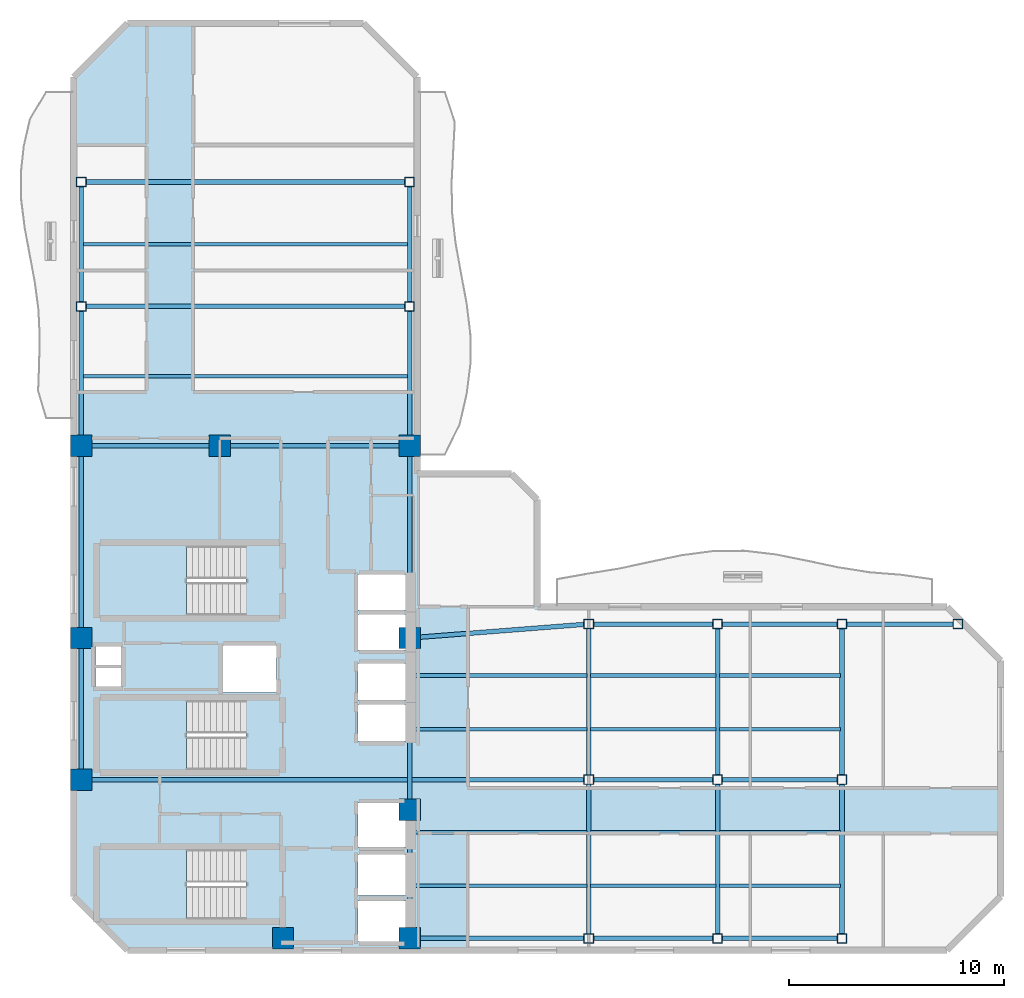
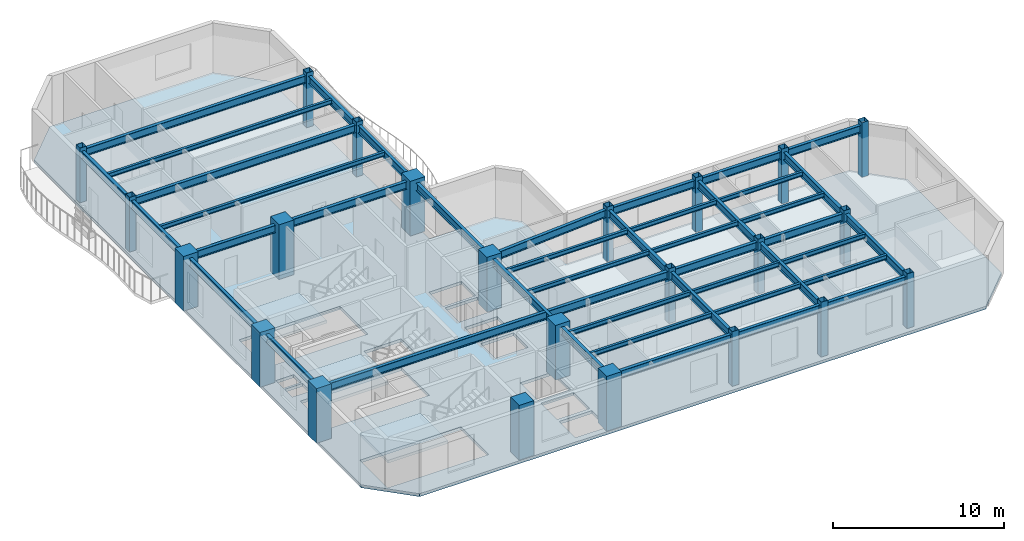
# One storey, part 1 of 9: 43 beams, 23 columns, 4 slabs, 3 elements without a shape of their own.
"""IFC4 building model written with IfcOpenShell, lengths in metres."""

from ifc_helpers import new_model, si_unit, direction, frame, origin, origin_2d, place, context, subcontext, project, spatial, polyline, rectangle, hollow_rectangle, i_section, outline, extrude, material, layer, layer_set, material_profile, profile_set, type_object, element, aggregate, save


model = new_model("IFC4")

# Units and contexts
model_context = context("Model", 3, precision=1e-05, world=origin(), true_north=direction((0.0, 1.0)))
body_context = subcontext(model_context, "Body", "Model", "MODEL_VIEW")
ifc_project = project(units=[si_unit("LENGTHUNIT", "METRE"), si_unit("AREAUNIT", "SQUARE_METRE"), si_unit("VOLUMEUNIT", "CUBIC_METRE"), si_unit("PLANEANGLEUNIT", "RADIAN"), si_unit("MASSUNIT", "GRAM", prefix="KILO")], contexts=[model_context])

# Site, building, storey
site_placement = place(None, origin())
site = spatial("IfcSite", under=ifc_project, at=site_placement, CompositionType="ELEMENT")
building_placement = place(site_placement, origin())
building = spatial("IfcBuilding", under=site, at=building_placement, Name="Mawjaban Terraces University", CompositionType="ELEMENT")
storey_placement = place(building_placement, frame((0.0, 0.0, 234.300048828125)))
storey = spatial("IfcBuildingStorey", under=building, at=storey_placement, Name="L57", CompositionType="ELEMENT", Elevation=234.300048828125)

# Columns
ifc_material_1 = material(Name="Concrete C60/75", Category="concrete")
ifc_material_profile_1 = material_profile(ifc_material_1, rectangle(XDim=1.0, YDim=1.0, at=origin_2d()), Name="RC1000X1000")
ifc_profile_set_1 = profile_set([ifc_material_profile_1], Name="Concrete C60/75")
column_type_1 = type_object("IfcColumnType", Name="Col_RC1000X1000", PredefinedType="COLUMN", material=ifc_profile_set_1)
for number, where, z_axis, x_axis, name in (
    (1, (31.75, 0.550048828125, 0.0), (0.0, 0.0, 1.0), (1.0, 0.0, 0.0), "L57 Column CC2"),
    (2, (37.64990234375, 0.550048828125, 0.0), (0.0, 0.0, 1.0), (1.0, 0.0, 0.0), "L57 Column CC3"),
    (3, (22.35009765625, 7.949951171875, 0.0), (0.0, 0.0, 1.0), (1.0, 0.0, 0.0), "L57 Column CC4"),
    (4, (37.64990234375, 6.550048828125, 0.0), (0.0, 0.0, 1.0), (1.0, 0.0, 0.0), "L57 Column CC5"),
    (5, (22.35009765625, 14.550048828125, 0.0), (0.0, 0.0, 1.0), (1.0, 0.0, 0.0), "L57 Column CC6"),
    (6, (37.64990234375, 14.550048828125, 0.0), (0.0, 0.0, 1.0), (1.0, 0.0, 0.0), "L57 Column CC7"),
    (7, (22.35009765625, 23.5, 0.0), (0.0, 0.0, 1.0), (1.0, 0.0, 0.0), "L57 Column CC8"),
    (8, (28.800048828125, 23.5, 0.0), (0.0, 0.0, 1.0), (1.0, 0.0, 0.0), "L57 Column CC9"),
    (9, (37.64990234375, 23.5, 0.0), (0.0, 0.0, 1.0), (1.0, 0.0, 0.0), "L57 Column CC10"),
):
    element("IfcColumn", number, at=place(storey_placement, frame(where, z_axis=z_axis, x_axis=x_axis)), inside=storey, type_object=column_type_1, Name=name, PredefinedType="COLUMN", context=body_context, shape_type="SweptSolid", body=[
        extrude(rectangle(XDim=1.0, YDim=1.0, at=origin_2d()), origin(), (0.0, 0.0, 1.0), 3.89990234375),
    ])
ifc_material_2 = material(Name="Steel EN 10210-1 S355J2H", Category="steel")
ifc_material_profile_2 = material_profile(ifc_material_2, hollow_rectangle(XDim=0.449951171875, YDim=0.449951171875, WallThickness=0.02001953125, at=origin_2d()), Name="SHS450X450X20")
ifc_profile_set_2 = profile_set([ifc_material_profile_2], Name="Steel EN 10210-1 S355J2H")
column_type_2 = type_object("IfcColumnType", Name="Col_SHS450X450X20", PredefinedType="COLUMN", material=ifc_profile_set_2)
for number, where, z_axis, x_axis, name in (
    (10, (46.0, 0.550048828125, 0.0), (0.0, 0.0, 1.0), (1.0, 0.0, 0.0), "L57 Column TE-460-005"),
    (11, (46.0, 7.949951171875, 0.0), (0.0, 0.0, 1.0), (1.0, 0.0, 0.0), "L57 Column TE-460-080"),
    (12, (46.0, 15.199951171875, 0.0), (0.0, 0.0, 1.0), (1.0, 0.0, 0.0), "L57 Column TE-460-152"),
    (13, (52.0, 0.550048828125, 0.0), (0.0, 0.0, 1.0), (1.0, 0.0, 0.0), "L57 Column TE-520-005"),
    (14, (52.0, 7.949951171875, 0.0), (0.0, 0.0, 1.0), (1.0, 0.0, 0.0), "L57 Column TE-520-080"),
    (15, (52.0, 15.199951171875, 0.0), (0.0, 0.0, 1.0), (1.0, 0.0, 0.0), "L57 Column TE-520-152"),
    (16, (57.800048828125, 0.550048828125, 0.0), (0.0, 0.0, 1.0), (1.0, 0.0, 0.0), "L57 Column TE-578-005"),
    (17, (57.800048828125, 7.949951171875, 0.0), (0.0, 0.0, 1.0), (1.0, 0.0, 0.0), "L57 Column TE-578-080"),
    (18, (57.800048828125, 15.199951171875, 0.0), (0.0, 0.0, 1.0), (1.0, 0.0, 0.0), "L57 Column TE-578-152"),
    (19, (63.199951171875, 15.199951171875, 0.0), (0.0, 0.0, 1.0), (1.0, 0.0, 0.0), "L57 Column TE-632-152"),
    (20, (22.35009765625, 30.0, 0.0), (0.0, 0.0, 1.0), (1.0, 0.0, 0.0), "L57 Column TN-223-300"),
    (21, (37.64990234375, 30.0, 0.0), (0.0, 0.0, 1.0), (1.0, 0.0, 0.0), "L57 Column TN-376-300"),
    (22, (22.35009765625, 35.800048828125, 0.0), (0.0, 0.0, 1.0), (1.0, 0.0, 0.0), "L57 Column TN-223-358"),
    (23, (37.64990234375, 35.800048828125, 0.0), (0.0, 0.0, 1.0), (1.0, 0.0, 0.0), "L57 Column TN-376-358"),
):
    element("IfcColumn", number, at=place(storey_placement, frame(where, z_axis=z_axis, x_axis=x_axis)), inside=storey, type_object=column_type_2, Name=name, PredefinedType="COLUMN", context=body_context, shape_type="SweptSolid", body=[
        extrude(hollow_rectangle(XDim=0.449951171875, YDim=0.449951171875, WallThickness=0.02001953125, at=origin_2d()), origin(), (0.0, 0.0, 1.0), 3.89990234375),
    ])

# Beams
ifc_material_3 = material(Name="Steel ASTM A572 Grade 50", Category="steel")
ifc_material_profile_3 = material_profile(ifc_material_3, i_section(OverallWidth=0.2119140625, OverallDepth=0.5439453125, WebThickness=0.01318359375, FlangeThickness=0.021240234375, at=origin_2d()), Name="W530X123")
ifc_profile_set_3 = profile_set([ifc_material_profile_3], Name="Steel ASTM A572 Grade 50")
beam_type_1 = type_object("IfcBeamType", Name="Beam_B_W530X123", PredefinedType="BEAM", material=ifc_profile_set_3)
beam_1_placement = place(storey_placement, frame((38.14990234375, 0.550048828125, 3.367919921875), z_axis=(1.0, 0.0, 0.0), x_axis=(0.0, 1.0, 0.0)))
element("IfcBeam", 24, at=beam_1_placement, inside=storey, type_object=beam_type_1, Name="L57 Beam BM-L57-EW-01", PredefinedType="BEAM", context=body_context, shape_type="SweptSolid", body=[
    extrude(i_section(OverallWidth=0.2119140625, OverallDepth=0.5439453125, WebThickness=0.01318359375, FlangeThickness=0.021240234375, at=origin_2d()), origin(), (0.0, 0.0, 1.0), 7.625),
])
beam_2_placement = place(storey_placement, frame((46.22509765625, 0.550048828125, 3.367919921875), z_axis=(1.0, 0.0, 0.0), x_axis=(0.0, 1.0, 0.0)))
element("IfcBeam", 25, at=beam_2_placement, inside=storey, type_object=beam_type_1, Name="L57 Beam BM-L57-EW-02", PredefinedType="BEAM", context=body_context, shape_type="SweptSolid", body=[
    extrude(i_section(OverallWidth=0.2119140625, OverallDepth=0.5439453125, WebThickness=0.01318359375, FlangeThickness=0.021240234375, at=origin_2d()), origin(), (0.0, 0.0, 1.0), 5.5498046875),
])
beam_3_placement = place(storey_placement, frame((52.22509765625, 0.550048828125, 3.367919921875), z_axis=(1.0, 0.0, 0.0), x_axis=(0.0, 1.0, 0.0)))
element("IfcBeam", 26, at=beam_3_placement, inside=storey, type_object=beam_type_1, Name="L57 Beam BM-L57-EW-03", PredefinedType="BEAM", context=body_context, shape_type="SweptSolid", body=[
    extrude(i_section(OverallWidth=0.2119140625, OverallDepth=0.5439453125, WebThickness=0.01318359375, FlangeThickness=0.021240234375, at=origin_2d()), origin(), (0.0, 0.0, 1.0), 5.349853515625),
])
beam_4_placement = place(storey_placement, frame((22.85009765625, 7.949951171875, 3.367919921875), z_axis=(1.0, 0.0, 0.0), x_axis=(0.0, 1.0, 0.0)))
element("IfcBeam", 27, at=beam_4_placement, inside=storey, type_object=beam_type_1, Name="L57 Beam BM-L57-EW-04", PredefinedType="BEAM", context=body_context, shape_type="SweptSolid", body=[
    extrude(i_section(OverallWidth=0.2119140625, OverallDepth=0.5439453125, WebThickness=0.01318359375, FlangeThickness=0.021240234375, at=origin_2d()), origin(), (0.0, 0.0, 1.0), 22.9248046875),
])
beam_5_placement = place(storey_placement, frame((46.22509765625, 7.949951171875, 3.367919921875), z_axis=(1.0, 0.0, 0.0), x_axis=(0.0, 1.0, 0.0)))
element("IfcBeam", 28, at=beam_5_placement, inside=storey, type_object=beam_type_1, Name="L57 Beam BM-L57-EW-05", PredefinedType="BEAM", context=body_context, shape_type="SweptSolid", body=[
    extrude(i_section(OverallWidth=0.2119140625, OverallDepth=0.5439453125, WebThickness=0.01318359375, FlangeThickness=0.021240234375, at=origin_2d()), origin(), (0.0, 0.0, 1.0), 5.5498046875),
])
beam_6_placement = place(storey_placement, frame((52.22509765625, 7.949951171875, 3.367919921875), z_axis=(1.0, 0.0, 0.0), x_axis=(0.0, 1.0, 0.0)))
element("IfcBeam", 29, at=beam_6_placement, inside=storey, type_object=beam_type_1, Name="L57 Beam BM-L57-EW-06", PredefinedType="BEAM", context=body_context, shape_type="SweptSolid", body=[
    extrude(i_section(OverallWidth=0.2119140625, OverallDepth=0.5439453125, WebThickness=0.01318359375, FlangeThickness=0.021240234375, at=origin_2d()), origin(), (0.0, 0.0, 1.0), 5.349853515625),
])
beam_7_placement = place(storey_placement, frame((46.22509765625, 15.199951171875, 3.367919921875), z_axis=(1.0, 0.0, 0.0), x_axis=(0.0, 1.0, 0.0)))
element("IfcBeam", 30, at=beam_7_placement, inside=storey, type_object=beam_type_1, Name="L57 Beam BM-L57-EW-07", PredefinedType="BEAM", context=body_context, shape_type="SweptSolid", body=[
    extrude(i_section(OverallWidth=0.2119140625, OverallDepth=0.5439453125, WebThickness=0.01318359375, FlangeThickness=0.021240234375, at=origin_2d()), origin(), (0.0, 0.0, 1.0), 5.5498046875),
])
beam_8_placement = place(storey_placement, frame((52.22509765625, 15.199951171875, 3.367919921875), z_axis=(1.0, 0.0, 0.0), x_axis=(0.0, 1.0, 0.0)))
element("IfcBeam", 31, at=beam_8_placement, inside=storey, type_object=beam_type_1, Name="L57 Beam BM-L57-EW-08", PredefinedType="BEAM", context=body_context, shape_type="SweptSolid", body=[
    extrude(i_section(OverallWidth=0.2119140625, OverallDepth=0.5439453125, WebThickness=0.01318359375, FlangeThickness=0.021240234375, at=origin_2d()), origin(), (0.0, 0.0, 1.0), 5.349853515625),
])
beam_9_placement = place(storey_placement, frame((58.02490234375, 15.199951171875, 3.367919921875), z_axis=(1.0, 0.0, 0.0), x_axis=(0.0, 1.0, 0.0)))
element("IfcBeam", 32, at=beam_9_placement, inside=storey, type_object=beam_type_1, Name="L57 Beam BM-L57-EW-09", PredefinedType="BEAM", context=body_context, shape_type="SweptSolid", body=[
    extrude(i_section(OverallWidth=0.2119140625, OverallDepth=0.5439453125, WebThickness=0.01318359375, FlangeThickness=0.021240234375, at=origin_2d()), origin(), (0.0, 0.0, 1.0), 4.9501953125),
])
beam_10_placement = place(storey_placement, frame((22.85009765625, 23.5, 3.367919921875), z_axis=(1.0, 0.0, 0.0), x_axis=(0.0, 1.0, 0.0)))
element("IfcBeam", 33, at=beam_10_placement, inside=storey, type_object=beam_type_1, Name="L57 Beam BM-L57-EW-10", PredefinedType="BEAM", context=body_context, shape_type="SweptSolid", body=[
    extrude(i_section(OverallWidth=0.2119140625, OverallDepth=0.5439453125, WebThickness=0.01318359375, FlangeThickness=0.021240234375, at=origin_2d()), origin(), (0.0, 0.0, 1.0), 5.449951171875),
])
beam_11_placement = place(storey_placement, frame((29.300048828125, 23.5, 3.367919921875), z_axis=(1.0, 0.0, 0.0), x_axis=(0.0, 1.0, 0.0)))
element("IfcBeam", 34, at=beam_11_placement, inside=storey, type_object=beam_type_1, Name="L57 Beam BM-L57-EW-11", PredefinedType="BEAM", context=body_context, shape_type="SweptSolid", body=[
    extrude(i_section(OverallWidth=0.2119140625, OverallDepth=0.5439453125, WebThickness=0.01318359375, FlangeThickness=0.021240234375, at=origin_2d()), origin(), (0.0, 0.0, 1.0), 7.849853515625),
])
for number, where, z_axis, x_axis, name in (
    (35, (22.574951171875, 30.0, 3.367919921875), (1.0, 0.0, 0.0), (0.0, 1.0, 0.0), "L57 Beam BM-L57-EW-12"),
    (36, (22.574951171875, 35.800048828125, 3.367919921875), (1.0, 0.0, 0.0), (0.0, 1.0, 0.0), "L57 Beam BM-L57-EW-13"),
):
    element("IfcBeam", number, at=place(storey_placement, frame(where, z_axis=z_axis, x_axis=x_axis)), inside=storey, type_object=beam_type_1, Name=name, PredefinedType="BEAM", context=body_context, shape_type="SweptSolid", body=[
        extrude(i_section(OverallWidth=0.2119140625, OverallDepth=0.5439453125, WebThickness=0.01318359375, FlangeThickness=0.021240234375, at=origin_2d()), origin(), (0.0, 0.0, 1.0), 14.85009765625),
    ])
beam_12_placement = place(storey_placement, frame((22.35009765625, 8.449951171875, 3.367919921875), z_axis=(0.0, 1.0, 0.0), x_axis=(-1.0, 0.0, 0.0)))
element("IfcBeam", 37, at=beam_12_placement, inside=storey, type_object=beam_type_1, Name="L57 Beam BM-L57-NS-01", PredefinedType="BEAM", context=body_context, shape_type="SweptSolid", body=[
    extrude(i_section(OverallWidth=0.2119140625, OverallDepth=0.5439453125, WebThickness=0.01318359375, FlangeThickness=0.021240234375, at=origin_2d()), origin(), (0.0, 0.0, 1.0), 5.60009765625),
])
beam_13_placement = place(storey_placement, frame((22.35009765625, 15.050048828125, 3.367919921875), z_axis=(0.0, 1.0, 0.0), x_axis=(-1.0, 0.0, 0.0)))
element("IfcBeam", 38, at=beam_13_placement, inside=storey, type_object=beam_type_1, Name="L57 Beam BM-L57-NS-02", PredefinedType="BEAM", context=body_context, shape_type="SweptSolid", body=[
    extrude(i_section(OverallWidth=0.2119140625, OverallDepth=0.5439453125, WebThickness=0.01318359375, FlangeThickness=0.021240234375, at=origin_2d()), origin(), (0.0, 0.0, 1.0), 7.949951171875),
])
beam_14_placement = place(storey_placement, frame((22.35009765625, 24.0, 3.367919921875), z_axis=(0.0, 1.0, 0.0), x_axis=(-1.0, 0.0, 0.0)))
element("IfcBeam", 39, at=beam_14_placement, inside=storey, type_object=beam_type_1, Name="L57 Beam BM-L57-NS-03", PredefinedType="BEAM", context=body_context, shape_type="SweptSolid", body=[
    extrude(i_section(OverallWidth=0.2119140625, OverallDepth=0.5439453125, WebThickness=0.01318359375, FlangeThickness=0.021240234375, at=origin_2d()), origin(), (0.0, 0.0, 1.0), 5.77490234375),
])
beam_15_placement = place(storey_placement, frame((22.35009765625, 30.22509765625, 3.367919921875), z_axis=(0.0, 1.0, 0.0), x_axis=(-1.0, 0.0, 0.0)))
element("IfcBeam", 40, at=beam_15_placement, inside=storey, type_object=beam_type_1, Name="L57 Beam BM-L57-NS-04", PredefinedType="BEAM", context=body_context, shape_type="SweptSolid", body=[
    extrude(i_section(OverallWidth=0.2119140625, OverallDepth=0.5439453125, WebThickness=0.01318359375, FlangeThickness=0.021240234375, at=origin_2d()), origin(), (0.0, 0.0, 1.0), 5.349853515625),
])
beam_16_placement = place(storey_placement, frame((37.64990234375, 1.050048828125, 3.367919921875), z_axis=(0.0, 1.0, 0.0), x_axis=(-1.0, 0.0, 0.0)))
element("IfcBeam", 41, at=beam_16_placement, inside=storey, type_object=beam_type_1, Name="L57 Beam BM-L57-NS-05", PredefinedType="BEAM", context=body_context, shape_type="SweptSolid", body=[
    extrude(i_section(OverallWidth=0.2119140625, OverallDepth=0.5439453125, WebThickness=0.01318359375, FlangeThickness=0.021240234375, at=origin_2d()), origin(), (0.0, 0.0, 1.0), 5.0),
])
beam_17_placement = place(storey_placement, frame((37.64990234375, 7.050048828125, 3.367919921875), z_axis=(0.0, 1.0, 0.0), x_axis=(-1.0, 0.0, 0.0)))
element("IfcBeam", 42, at=beam_17_placement, inside=storey, type_object=beam_type_1, Name="L57 Beam BM-L57-NS-06", PredefinedType="BEAM", context=body_context, shape_type="SweptSolid", body=[
    extrude(i_section(OverallWidth=0.2119140625, OverallDepth=0.5439453125, WebThickness=0.01318359375, FlangeThickness=0.021240234375, at=origin_2d()), origin(), (0.0, 0.0, 1.0), 7.0),
])
beam_18_placement = place(storey_placement, frame((37.64990234375, 15.050048828125, 3.367919921875), z_axis=(0.0, 1.0, 0.0), x_axis=(-1.0, 0.0, 0.0)))
element("IfcBeam", 43, at=beam_18_placement, inside=storey, type_object=beam_type_1, Name="L57 Beam BM-L57-NS-07", PredefinedType="BEAM", context=body_context, shape_type="SweptSolid", body=[
    extrude(i_section(OverallWidth=0.2119140625, OverallDepth=0.5439453125, WebThickness=0.01318359375, FlangeThickness=0.021240234375, at=origin_2d()), origin(), (0.0, 0.0, 1.0), 7.949951171875),
])
beam_19_placement = place(storey_placement, frame((37.64990234375, 24.0, 3.367919921875), z_axis=(0.0, 1.0, 0.0), x_axis=(-1.0, 0.0, 0.0)))
element("IfcBeam", 44, at=beam_19_placement, inside=storey, type_object=beam_type_1, Name="L57 Beam BM-L57-NS-08", PredefinedType="BEAM", context=body_context, shape_type="SweptSolid", body=[
    extrude(i_section(OverallWidth=0.2119140625, OverallDepth=0.5439453125, WebThickness=0.01318359375, FlangeThickness=0.021240234375, at=origin_2d()), origin(), (0.0, 0.0, 1.0), 5.77490234375),
])
beam_20_placement = place(storey_placement, frame((37.64990234375, 30.22509765625, 3.367919921875), z_axis=(0.0, 1.0, 0.0), x_axis=(-1.0, 0.0, 0.0)))
element("IfcBeam", 45, at=beam_20_placement, inside=storey, type_object=beam_type_1, Name="L57 Beam BM-L57-NS-09", PredefinedType="BEAM", context=body_context, shape_type="SweptSolid", body=[
    extrude(i_section(OverallWidth=0.2119140625, OverallDepth=0.5439453125, WebThickness=0.01318359375, FlangeThickness=0.021240234375, at=origin_2d()), origin(), (0.0, 0.0, 1.0), 5.349853515625),
])
beam_21_placement = place(storey_placement, frame((46.0, 0.77490234375, 3.367919921875), z_axis=(0.0, 1.0, 0.0), x_axis=(-1.0, 0.0, 0.0)))
element("IfcBeam", 46, at=beam_21_placement, inside=storey, type_object=beam_type_1, Name="L57 Beam BM-L57-NS-10", PredefinedType="BEAM", context=body_context, shape_type="SweptSolid", body=[
    extrude(i_section(OverallWidth=0.2119140625, OverallDepth=0.5439453125, WebThickness=0.01318359375, FlangeThickness=0.021240234375, at=origin_2d()), origin(), (0.0, 0.0, 1.0), 6.9501953125),
])
beam_22_placement = place(storey_placement, frame((46.0, 8.175048828125, 3.367919921875), z_axis=(0.0, 1.0, 0.0), x_axis=(-1.0, 0.0, 0.0)))
element("IfcBeam", 47, at=beam_22_placement, inside=storey, type_object=beam_type_1, Name="L57 Beam BM-L57-NS-11", PredefinedType="BEAM", context=body_context, shape_type="SweptSolid", body=[
    extrude(i_section(OverallWidth=0.2119140625, OverallDepth=0.5439453125, WebThickness=0.01318359375, FlangeThickness=0.021240234375, at=origin_2d()), origin(), (0.0, 0.0, 1.0), 6.800048828125),
])
beam_23_placement = place(storey_placement, frame((52.0, 0.77490234375, 3.367919921875), z_axis=(0.0, 1.0, 0.0), x_axis=(-1.0, 0.0, 0.0)))
element("IfcBeam", 48, at=beam_23_placement, inside=storey, type_object=beam_type_1, Name="L57 Beam BM-L57-NS-12", PredefinedType="BEAM", context=body_context, shape_type="SweptSolid", body=[
    extrude(i_section(OverallWidth=0.2119140625, OverallDepth=0.5439453125, WebThickness=0.01318359375, FlangeThickness=0.021240234375, at=origin_2d()), origin(), (0.0, 0.0, 1.0), 6.9501953125),
])
beam_24_placement = place(storey_placement, frame((52.0, 8.175048828125, 3.367919921875), z_axis=(0.0, 1.0, 0.0), x_axis=(-1.0, 0.0, 0.0)))
element("IfcBeam", 49, at=beam_24_placement, inside=storey, type_object=beam_type_1, Name="L57 Beam BM-L57-NS-13", PredefinedType="BEAM", context=body_context, shape_type="SweptSolid", body=[
    extrude(i_section(OverallWidth=0.2119140625, OverallDepth=0.5439453125, WebThickness=0.01318359375, FlangeThickness=0.021240234375, at=origin_2d()), origin(), (0.0, 0.0, 1.0), 6.800048828125),
])
beam_25_placement = place(storey_placement, frame((57.800048828125, 0.77490234375, 3.367919921875), z_axis=(0.0, 1.0, 0.0), x_axis=(-1.0, 0.0, 0.0)))
element("IfcBeam", 50, at=beam_25_placement, inside=storey, type_object=beam_type_1, Name="L57 Beam BM-L57-NS-14", PredefinedType="BEAM", context=body_context, shape_type="SweptSolid", body=[
    extrude(i_section(OverallWidth=0.2119140625, OverallDepth=0.5439453125, WebThickness=0.01318359375, FlangeThickness=0.021240234375, at=origin_2d()), origin(), (0.0, 0.0, 1.0), 6.9501953125),
])
beam_26_placement = place(storey_placement, frame((57.800048828125, 8.175048828125, 3.367919921875), z_axis=(0.0, 1.0, 0.0), x_axis=(-1.0, 0.0, 0.0)))
element("IfcBeam", 51, at=beam_26_placement, inside=storey, type_object=beam_type_1, Name="L57 Beam BM-L57-NS-15", PredefinedType="BEAM", context=body_context, shape_type="SweptSolid", body=[
    extrude(i_section(OverallWidth=0.2119140625, OverallDepth=0.5439453125, WebThickness=0.01318359375, FlangeThickness=0.021240234375, at=origin_2d()), origin(), (0.0, 0.0, 1.0), 6.800048828125),
])
beam_27_placement = place(storey_placement, frame((38.14794921875, 14.589111328125, 3.367919921875), z_axis=(0.99698177718, 0.077635919341, 0.0), x_axis=(-0.077635919341, 0.99698177718, 0.0)))
element("IfcBeam", 52, at=beam_27_placement, inside=storey, type_object=beam_type_1, Name="L57 Beam BM-L57-CTIE", PredefinedType="BEAM", context=body_context, shape_type="SweptSolid", body=[
    extrude(i_section(OverallWidth=0.2119140625, OverallDepth=0.5439453125, WebThickness=0.01318359375, FlangeThickness=0.021240234375, at=origin_2d()), origin(), (0.0, 0.0, 1.0), 7.651123046875),
])
ifc_material_profile_4 = material_profile(ifc_material_3, i_section(OverallWidth=0.1669921875, OverallDepth=0.318115234375, WebThickness=0.007568359375, FlangeThickness=0.01318359375, at=origin_2d()), Name="W310X52")
ifc_profile_set_4 = profile_set([ifc_material_profile_4], Name="Steel ASTM A572 Grade 50")
beam_type_2 = type_object("IfcBeamType", Name="Beam_J_W310X52", PredefinedType="JOIST", material=ifc_profile_set_4)
beam_28_placement = place(storey_placement, frame((37.72998046875, 3.0, 3.48095703125), z_axis=(1.0, 0.0, 0.0), x_axis=(0.0, 1.0, 0.0)))
element("IfcBeam", 53, at=beam_28_placement, inside=storey, type_object=beam_type_2, Name="L57 Composite Joist JST-L57-01", PredefinedType="JOIST", context=body_context, shape_type="SweptSolid", body=[
    extrude(i_section(OverallWidth=0.1669921875, OverallDepth=0.318115234375, WebThickness=0.007568359375, FlangeThickness=0.01318359375, at=origin_2d()), origin(), (0.0, 0.0, 1.0), 8.18994140625),
])
beam_29_placement = place(storey_placement, frame((46.080078125, 3.0, 3.48095703125), z_axis=(1.0, 0.0, 0.0), x_axis=(0.0, 1.0, 0.0)))
element("IfcBeam", 54, at=beam_29_placement, inside=storey, type_object=beam_type_2, Name="L57 Composite Joist JST-L57-02", PredefinedType="JOIST", context=body_context, shape_type="SweptSolid", body=[
    extrude(i_section(OverallWidth=0.1669921875, OverallDepth=0.318115234375, WebThickness=0.007568359375, FlangeThickness=0.01318359375, at=origin_2d()), origin(), (0.0, 0.0, 1.0), 5.83984375),
])
beam_30_placement = place(storey_placement, frame((52.080078125, 3.0, 3.48095703125), z_axis=(1.0, 0.0, 0.0), x_axis=(0.0, 1.0, 0.0)))
element("IfcBeam", 55, at=beam_30_placement, inside=storey, type_object=beam_type_2, Name="L57 Composite Joist JST-L57-03", PredefinedType="JOIST", context=body_context, shape_type="SweptSolid", body=[
    extrude(i_section(OverallWidth=0.1669921875, OverallDepth=0.318115234375, WebThickness=0.007568359375, FlangeThickness=0.01318359375, at=origin_2d()), origin(), (0.0, 0.0, 1.0), 5.639892578125),
])
beam_31_placement = place(storey_placement, frame((37.72998046875, 5.5, 3.48095703125), z_axis=(1.0, 0.0, 0.0), x_axis=(0.0, 1.0, 0.0)))
element("IfcBeam", 56, at=beam_31_placement, inside=storey, type_object=beam_type_2, Name="L57 Composite Joist JST-L57-04", PredefinedType="JOIST", context=body_context, shape_type="SweptSolid", body=[
    extrude(i_section(OverallWidth=0.1669921875, OverallDepth=0.318115234375, WebThickness=0.007568359375, FlangeThickness=0.01318359375, at=origin_2d()), origin(), (0.0, 0.0, 1.0), 8.18994140625),
])
beam_32_placement = place(storey_placement, frame((46.080078125, 5.5, 3.48095703125), z_axis=(1.0, 0.0, 0.0), x_axis=(0.0, 1.0, 0.0)))
element("IfcBeam", 57, at=beam_32_placement, inside=storey, type_object=beam_type_2, Name="L57 Composite Joist JST-L57-05", PredefinedType="JOIST", context=body_context, shape_type="SweptSolid", body=[
    extrude(i_section(OverallWidth=0.1669921875, OverallDepth=0.318115234375, WebThickness=0.007568359375, FlangeThickness=0.01318359375, at=origin_2d()), origin(), (0.0, 0.0, 1.0), 5.83984375),
])
beam_33_placement = place(storey_placement, frame((52.080078125, 5.5, 3.48095703125), z_axis=(1.0, 0.0, 0.0), x_axis=(0.0, 1.0, 0.0)))
element("IfcBeam", 58, at=beam_33_placement, inside=storey, type_object=beam_type_2, Name="L57 Composite Joist JST-L57-06", PredefinedType="JOIST", context=body_context, shape_type="SweptSolid", body=[
    extrude(i_section(OverallWidth=0.1669921875, OverallDepth=0.318115234375, WebThickness=0.007568359375, FlangeThickness=0.01318359375, at=origin_2d()), origin(), (0.0, 0.0, 1.0), 5.639892578125),
])
beam_34_placement = place(storey_placement, frame((37.72998046875, 10.300048828125, 3.48095703125), z_axis=(1.0, 0.0, 0.0), x_axis=(0.0, 1.0, 0.0)))
element("IfcBeam", 59, at=beam_34_placement, inside=storey, type_object=beam_type_2, Name="L57 Composite Joist JST-L57-07", PredefinedType="JOIST", context=body_context, shape_type="SweptSolid", body=[
    extrude(i_section(OverallWidth=0.1669921875, OverallDepth=0.318115234375, WebThickness=0.007568359375, FlangeThickness=0.01318359375, at=origin_2d()), origin(), (0.0, 0.0, 1.0), 8.18994140625),
])
beam_35_placement = place(storey_placement, frame((46.080078125, 10.300048828125, 3.48095703125), z_axis=(1.0, 0.0, 0.0), x_axis=(0.0, 1.0, 0.0)))
element("IfcBeam", 60, at=beam_35_placement, inside=storey, type_object=beam_type_2, Name="L57 Composite Joist JST-L57-08", PredefinedType="JOIST", context=body_context, shape_type="SweptSolid", body=[
    extrude(i_section(OverallWidth=0.1669921875, OverallDepth=0.318115234375, WebThickness=0.007568359375, FlangeThickness=0.01318359375, at=origin_2d()), origin(), (0.0, 0.0, 1.0), 5.83984375),
])
beam_36_placement = place(storey_placement, frame((52.080078125, 10.300048828125, 3.48095703125), z_axis=(1.0, 0.0, 0.0), x_axis=(0.0, 1.0, 0.0)))
element("IfcBeam", 61, at=beam_36_placement, inside=storey, type_object=beam_type_2, Name="L57 Composite Joist JST-L57-09", PredefinedType="JOIST", context=body_context, shape_type="SweptSolid", body=[
    extrude(i_section(OverallWidth=0.1669921875, OverallDepth=0.318115234375, WebThickness=0.007568359375, FlangeThickness=0.01318359375, at=origin_2d()), origin(), (0.0, 0.0, 1.0), 5.639892578125),
])
beam_37_placement = place(storey_placement, frame((37.72998046875, 12.800048828125, 3.48095703125), z_axis=(1.0, 0.0, 0.0), x_axis=(0.0, 1.0, 0.0)))
element("IfcBeam", 62, at=beam_37_placement, inside=storey, type_object=beam_type_2, Name="L57 Composite Joist JST-L57-10", PredefinedType="JOIST", context=body_context, shape_type="SweptSolid", body=[
    extrude(i_section(OverallWidth=0.1669921875, OverallDepth=0.318115234375, WebThickness=0.007568359375, FlangeThickness=0.01318359375, at=origin_2d()), origin(), (0.0, 0.0, 1.0), 8.18994140625),
])
beam_38_placement = place(storey_placement, frame((46.080078125, 12.800048828125, 3.48095703125), z_axis=(1.0, 0.0, 0.0), x_axis=(0.0, 1.0, 0.0)))
element("IfcBeam", 63, at=beam_38_placement, inside=storey, type_object=beam_type_2, Name="L57 Composite Joist JST-L57-11", PredefinedType="JOIST", context=body_context, shape_type="SweptSolid", body=[
    extrude(i_section(OverallWidth=0.1669921875, OverallDepth=0.318115234375, WebThickness=0.007568359375, FlangeThickness=0.01318359375, at=origin_2d()), origin(), (0.0, 0.0, 1.0), 5.83984375),
])
beam_39_placement = place(storey_placement, frame((52.080078125, 12.800048828125, 3.48095703125), z_axis=(1.0, 0.0, 0.0), x_axis=(0.0, 1.0, 0.0)))
element("IfcBeam", 64, at=beam_39_placement, inside=storey, type_object=beam_type_2, Name="L57 Composite Joist JST-L57-12", PredefinedType="JOIST", context=body_context, shape_type="SweptSolid", body=[
    extrude(i_section(OverallWidth=0.1669921875, OverallDepth=0.318115234375, WebThickness=0.007568359375, FlangeThickness=0.01318359375, at=origin_2d()), origin(), (0.0, 0.0, 1.0), 5.639892578125),
])
for number, where, z_axis, x_axis, name in (
    (65, (22.429931640625, 26.75, 3.48095703125), (1.0, 0.0, 0.0), (0.0, 1.0, 0.0), "L57 Composite Joist JST-L57-13"),
    (66, (22.429931640625, 32.89990234375, 3.48095703125), (1.0, 0.0, 0.0), (0.0, 1.0, 0.0), "L57 Composite Joist JST-L57-14"),
):
    element("IfcBeam", number, at=place(storey_placement, frame(where, z_axis=z_axis, x_axis=x_axis)), inside=storey, type_object=beam_type_2, Name=name, PredefinedType="JOIST", context=body_context, shape_type="SweptSolid", body=[
        extrude(i_section(OverallWidth=0.1669921875, OverallDepth=0.318115234375, WebThickness=0.007568359375, FlangeThickness=0.01318359375, at=origin_2d()), origin(), (0.0, 0.0, 1.0), 15.14013671875),
    ])

# Slab
ifc_material_4 = material(Name="Concrete C40/50", Category="concrete")
ifc_layer_1 = layer(ifc_material_4, 0.2099609375)
ifc_layer_set_1 = layer_set([ifc_layer_1], Name="Concrete C40/50")
slab_type_1 = type_object("IfcSlabType", Name="CompositeSlab_210", PredefinedType="FLOOR", material=ifc_layer_set_1)
slab_1_placement = place(storey_placement, frame((0.0, 0.0, -0.2099609375)))
element("IfcSlab", 67, at=slab_1_placement, inside=storey, type_object=slab_type_1, Name="L57 Primary Structural Slab", PredefinedType="FLOOR", context=body_context, shape_type="SweptSolid", body=[
    extrude(outline(polyline([(24.5, 0.0), (62.699951171875, 0.0), (65.199951171875, 2.5), (65.199951171875, 13.5), (62.699951171875, 16.0), (43.60009765625, 16.0), (43.60009765625, 21.0), (42.39990234375, 22.199951171875), (38.0, 22.199951171875), (38.0, 40.699951171875), (35.5, 43.199951171875), (24.5, 43.199951171875), (22.0, 40.699951171875), (22.0, 2.5), (24.5, 0.0)]), holes=[polyline([(30.014892578125, 4.699951171875), (23.199951171875, 4.699951171875), (23.199951171875, 1.449951171875), (30.014892578125, 1.449951171875), (30.014892578125, 4.699951171875)]), polyline([(30.014892578125, 18.85009765625), (23.199951171875, 18.85009765625), (23.199951171875, 15.60009765625), (30.014892578125, 15.60009765625), (30.014892578125, 18.85009765625)]), polyline([(30.014892578125, 11.64990234375), (23.199951171875, 11.64990234375), (23.199951171875, 8.39990234375), (30.014892578125, 8.39990234375), (30.014892578125, 11.64990234375)]), polyline([(35.25, 0.39990234375), (37.449951171875, 0.39990234375), (37.449951171875, 2.300048828125), (35.25, 2.300048828125), (35.25, 0.39990234375)]), polyline([(35.25, 2.550048828125), (37.449951171875, 2.550048828125), (37.449951171875, 4.449951171875), (35.25, 4.449951171875), (35.25, 2.550048828125)]), polyline([(35.25, 4.800048828125), (37.449951171875, 4.800048828125), (37.449951171875, 6.85009765625), (35.25, 6.85009765625), (35.25, 4.800048828125)]), polyline([(35.25, 9.75), (37.449951171875, 9.75), (37.449951171875, 11.449951171875), (35.25, 11.449951171875), (35.25, 9.75)]), polyline([(35.25, 11.64990234375), (37.449951171875, 11.64990234375), (37.449951171875, 13.35009765625), (35.25, 13.35009765625), (35.25, 11.64990234375)]), polyline([(28.949951171875, 12.0), (31.449951171875, 12.0), (31.449951171875, 14.199951171875), (28.949951171875, 14.199951171875), (28.949951171875, 12.0)]), polyline([(35.25, 14.0), (37.449951171875, 14.0), (37.449951171875, 15.64990234375), (35.25, 15.64990234375), (35.25, 14.0)]), polyline([(35.25, 15.85009765625), (37.449951171875, 15.85009765625), (37.449951171875, 17.5), (35.25, 17.5), (35.25, 15.85009765625)]), polyline([(23.0, 12.25), (24.199951171875, 12.25), (24.199951171875, 13.14990234375), (23.0, 13.14990234375), (23.0, 12.25)]), polyline([(23.0, 13.300048828125), (24.199951171875, 13.300048828125), (24.199951171875, 14.179931640625), (23.0, 14.179931640625), (23.0, 13.300048828125)])]), origin(), (0.0, 0.0, 1.0), 0.2099609375),
])

# Stair, slab
stair_type = type_object("IfcStairType", Name="Stair_Core1550_H39", PredefinedType="HALF_TURN_STAIR", material=ifc_material_4)
stair_1_placement = place(storey_placement, origin())
stair_1 = element("IfcStair", 68, at=stair_1_placement, inside=storey, type_object=stair_type, Name="L57 Core Exit Stair 1", PredefinedType="HALF_TURN_STAIR")
ifc_layer_2 = layer(ifc_material_4, 0.199951171875)
ifc_layer_set_2 = layer_set([ifc_layer_2], Name="Concrete C40/50")
slab_type_2 = type_object("IfcSlabType", Name="StairLandingSlab_200", PredefinedType="LANDING", material=ifc_layer_set_2)
slab_2_placement = place(storey_placement, frame((0.0, 0.0, 1.75)))
slab_2 = element("IfcSlab", 69, at=slab_2_placement, type_object=slab_type_2, Name="ST-1 landing 1", PredefinedType="LANDING", context=body_context, shape_type="SweptSolid", body=[
    extrude(outline(polyline([(27.25, 4.699951171875), (23.199951171875, 4.699951171875), (23.199951171875, 1.449951171875), (27.25, 1.449951171875), (27.25, 4.699951171875)])), origin(), (0.0, 0.0, 1.0), 0.199951171875),
])
aggregate(stair_1, [slab_2])

stair_2_placement = place(storey_placement, origin())
stair_2 = element("IfcStair", 70, at=stair_2_placement, inside=storey, type_object=stair_type, Name="L57 Core Exit Stair 2", PredefinedType="HALF_TURN_STAIR")
slab_3_placement = place(storey_placement, frame((0.0, 0.0, 1.75)))
slab_3 = element("IfcSlab", 71, at=slab_3_placement, type_object=slab_type_2, Name="ST-2 landing 1", PredefinedType="LANDING", context=body_context, shape_type="SweptSolid", body=[
    extrude(outline(polyline([(27.25, 18.85009765625), (23.199951171875, 18.85009765625), (23.199951171875, 15.60009765625), (27.25, 15.60009765625), (27.25, 18.85009765625)])), origin(), (0.0, 0.0, 1.0), 0.199951171875),
])
aggregate(stair_2, [slab_3])

stair_3_placement = place(storey_placement, origin())
stair_3 = element("IfcStair", 72, at=stair_3_placement, inside=storey, type_object=stair_type, Name="L57 Core Exit Stair 3", PredefinedType="HALF_TURN_STAIR")
slab_4_placement = place(storey_placement, frame((0.0, 0.0, 1.75)))
slab_4 = element("IfcSlab", 73, at=slab_4_placement, type_object=slab_type_2, Name="ST-3 landing 1", PredefinedType="LANDING", context=body_context, shape_type="SweptSolid", body=[
    extrude(outline(polyline([(27.25, 11.64990234375), (23.199951171875, 11.64990234375), (23.199951171875, 8.39990234375), (27.25, 8.39990234375), (27.25, 11.64990234375)])), origin(), (0.0, 0.0, 1.0), 0.199951171875),
])
aggregate(stair_3, [slab_4])

save(model, "model.ifc")
